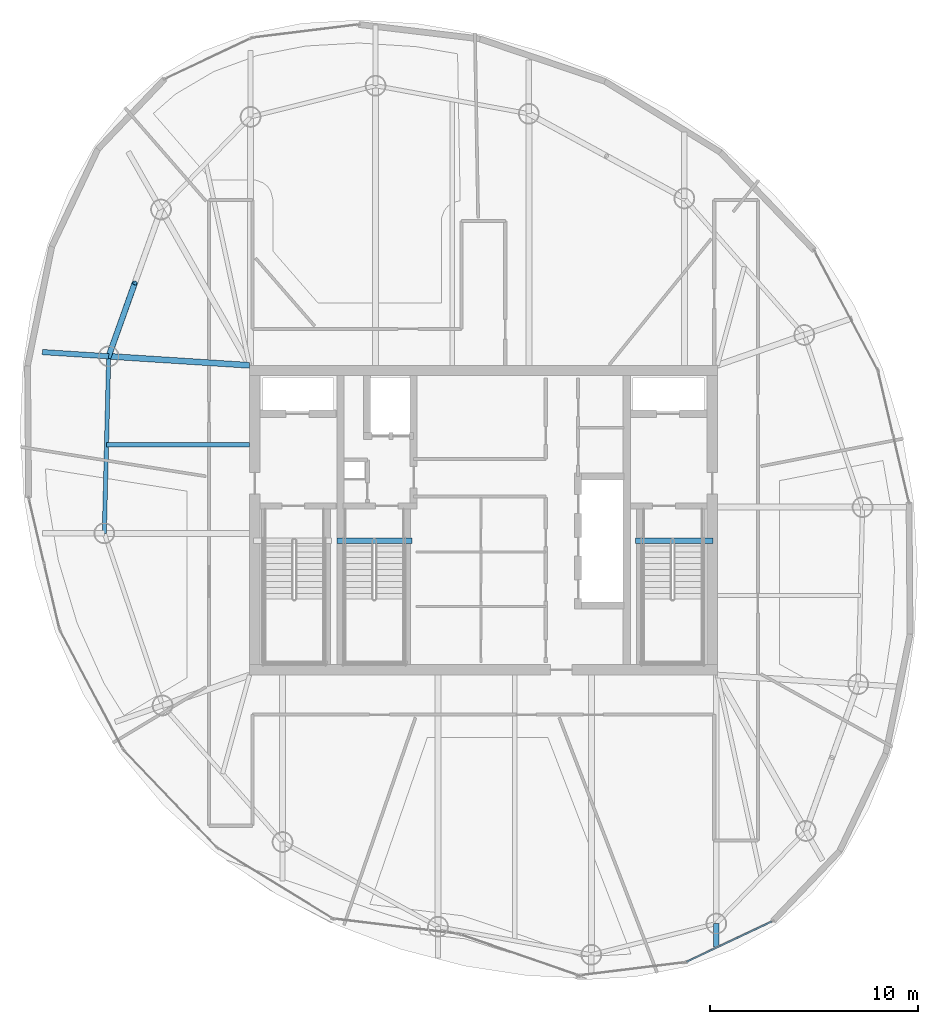
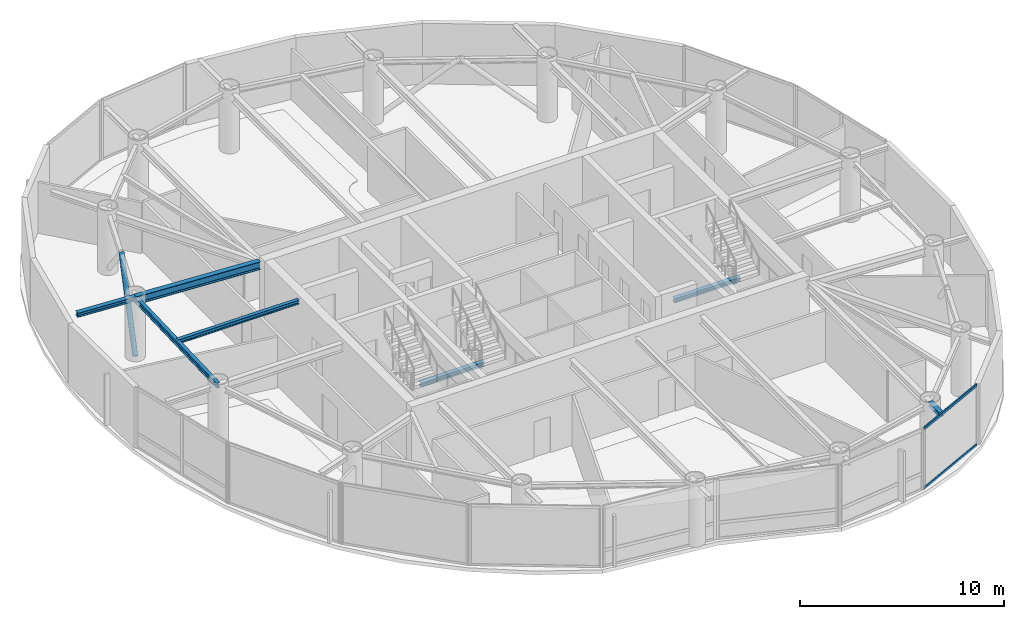
# One storey, part 7 of 21: 7 beams, 3 members, 1 element without a shape of its own.
"""IFC4 building model written with IfcOpenShell, lengths in metres."""

from ifc_helpers import new_model, si_unit, direction, frame, origin, origin_2d, place, context, subcontext, project, spatial, hollow_rectangle, hollow_circle, i_section, extrude, material, layer, layer_set, material_profile, profile_set, type_object, element, aggregate, save


model = new_model("IFC4")

# Units and contexts
model_context = context("Model", 3, precision=1e-05, world=origin(), true_north=direction((0.0, 1.0)))
body_context = subcontext(model_context, "Body", "Model", "MODEL_VIEW")
ifc_project = project(units=[si_unit("LENGTHUNIT", "METRE"), si_unit("AREAUNIT", "SQUARE_METRE"), si_unit("VOLUMEUNIT", "CUBIC_METRE"), si_unit("PLANEANGLEUNIT", "RADIAN"), si_unit("MASSUNIT", "GRAM", prefix="KILO")], contexts=[model_context])

# Site, building, storey
site_placement = place(None, origin())
site = spatial("IfcSite", under=ifc_project, at=site_placement, CompositionType="ELEMENT")
building_placement = place(site_placement, origin())
building = spatial("IfcBuilding", under=site, at=building_placement, Name="Bramvorn Convention Spire", CompositionType="ELEMENT")
storey_placement = place(building_placement, frame((0.0, 0.0, 249.75)))
storey = spatial("IfcBuildingStorey", under=building, at=storey_placement, Name="L63", CompositionType="ELEMENT", Elevation=249.75)

# Beams
ifc_material_1 = material(Name="Steel CSA G40.21 Grade 350 (350W)", Category="steel")
ifc_material_profile_1 = material_profile(ifc_material_1, i_section(OverallWidth=0.201904296875, OverallDepth=0.2470703125, WebThickness=0.00732421875, FlangeThickness=0.010986328125, FilletRadius=0.011962890625, at=origin_2d()))
ifc_profile_set_1 = profile_set([ifc_material_profile_1], Name="Steel CSA G40.21 Grade 350 (350W) - W250X49")
beam_type_1 = type_object("IfcBeamType", Name="BM-W250X49", PredefinedType="JOIST", material=ifc_profile_set_1)
beam_1_placement = place(storey_placement, frame((26.75, 29.626953125, 3.50146484375), z_axis=(-1.0, 0.0, 0.0), x_axis=(0.0, -1.0, 0.0)))
element("IfcBeam", 1, at=beam_1_placement, inside=storey, type_object=beam_type_1, Name="L63 composite floor joist 11", PredefinedType="JOIST", context=body_context, shape_type="SweptSolid", body=[
    extrude(i_section(OverallWidth=0.201904296875, OverallDepth=0.2470703125, WebThickness=0.00732421875, FlangeThickness=0.010986328125, FilletRadius=0.011962890625, at=origin_2d()), origin(), (0.0, 0.0, 1.0), 6.879150390625),
])
ifc_material_profile_2 = material_profile(ifc_material_1, i_section(OverallWidth=0.25390625, OverallDepth=0.2529296875, WebThickness=0.008544921875, FlangeThickness=0.01416015625, FilletRadius=0.011962890625, at=origin_2d()))
ifc_profile_set_2 = profile_set([ifc_material_profile_2], Name="Steel CSA G40.21 Grade 350 (350W) - W250X73")
beam_type_2 = type_object("IfcBeamType", Name="BM-W250X73", PredefinedType="BEAM", material=ifc_profile_set_2)
beam_2_placement = place(storey_placement, frame((49.199951171875, 6.60107421875, 3.49853515625), z_axis=(0.0, -1.0, 0.0), x_axis=(1.0, 0.0, 0.0)))
element("IfcBeam", 2, at=beam_2_placement, inside=storey, type_object=beam_type_2, Name="L63 slab-edge cantilever tip beam MC01", PredefinedType="BEAM", context=body_context, shape_type="SweptSolid", body=[
    extrude(i_section(OverallWidth=0.25390625, OverallDepth=0.2529296875, WebThickness=0.008544921875, FlangeThickness=0.01416015625, FilletRadius=0.011962890625, at=origin_2d()), origin(), (0.0, 0.0, 1.0), 1.122314453125),
])
beam_3_placement = place(storey_placement, frame((19.976318359375, 33.883544921875, 3.49853515625), z_axis=(-0.997959164695, 0.063855349044, 0.0), x_axis=(-0.063855349044, -0.997959164695, 0.0)))
element("IfcBeam", 3, at=beam_3_placement, inside=storey, type_object=beam_type_2, Name="L63 slab-edge cantilever tip beam MC11", PredefinedType="BEAM", context=body_context, shape_type="SweptSolid", body=[
    extrude(i_section(OverallWidth=0.25390625, OverallDepth=0.2529296875, WebThickness=0.008544921875, FlangeThickness=0.01416015625, FilletRadius=0.011962890625, at=origin_2d()), origin(), (0.0, 0.0, 1.0), 3.2001953125),
])
beam_4_placement = place(storey_placement, frame((45.31005859375, 25.010009765625, -0.12646484375), z_axis=(1.0, 0.0, 0.0), x_axis=(0.0, 1.0, 0.0)))
element("IfcBeam", 4, at=beam_4_placement, inside=storey, type_object=beam_type_2, Name="L63 ST2 stair arrival header beam", PredefinedType="BEAM", context=body_context, shape_type="SweptSolid", body=[
    extrude(i_section(OverallWidth=0.25390625, OverallDepth=0.2529296875, WebThickness=0.008544921875, FlangeThickness=0.01416015625, FilletRadius=0.011962890625, at=origin_2d()), origin(), (0.0, 0.0, 1.0), 3.739990234375),
])
beam_5_placement = place(storey_placement, frame((30.949951171875, 25.010009765625, -0.12646484375), z_axis=(1.0, 0.0, 0.0), x_axis=(0.0, 1.0, 0.0)))
element("IfcBeam", 5, at=beam_5_placement, inside=storey, type_object=beam_type_2, Name="L63 ST3 stair arrival header beam", PredefinedType="BEAM", context=body_context, shape_type="SweptSolid", body=[
    extrude(i_section(OverallWidth=0.25390625, OverallDepth=0.2529296875, WebThickness=0.008544921875, FlangeThickness=0.01416015625, FilletRadius=0.011962890625, at=origin_2d()), origin(), (0.0, 0.0, 1.0), 3.610107421875),
])
ifc_material_profile_3 = material_profile(ifc_material_1, i_section(OverallWidth=0.202880859375, OverallDepth=0.302978515625, WebThickness=0.007568359375, FlangeThickness=0.01318359375, FilletRadius=0.013916015625, at=origin_2d()))
ifc_profile_set_3 = profile_set([ifc_material_profile_3], Name="Steel CSA G40.21 Grade 350 (350W) - W310X60")
beam_type_3 = type_object("IfcBeamType", Name="BM-W310X60", PredefinedType="JOIST", material=ifc_profile_set_3)
beam_6_placement = place(storey_placement, frame((19.976318359375, 33.883544921875, 3.473388671875), z_axis=(-0.024770853371, -0.999693155335, 0.0), x_axis=(0.999693155335, -0.024770853371, 0.0)))
element("IfcBeam", 6, at=beam_6_placement, inside=storey, type_object=beam_type_3, Name="L63 mega-column ring beam 11", PredefinedType="JOIST", context=body_context, shape_type="SweptSolid", body=[
    extrude(i_section(OverallWidth=0.202880859375, OverallDepth=0.302978515625, WebThickness=0.007568359375, FlangeThickness=0.01318359375, FilletRadius=0.013916015625, at=origin_2d()), origin(), (0.0, 0.0, 1.0), 8.515625),
])
ifc_material_profile_4 = material_profile(ifc_material_1, i_section(OverallWidth=0.283935546875, OverallDepth=0.47607421875, WebThickness=0.014892578125, FlangeThickness=0.02392578125, FilletRadius=0.01806640625, at=origin_2d()))
ifc_profile_set_4 = profile_set([ifc_material_profile_4], Name="Steel CSA G40.21 Grade 350 (350W) - W460X158")
beam_type_4 = type_object("IfcBeamType", Name="BM-W460X158", PredefinedType="SPANDREL", material=ifc_profile_set_4)
beam_7_placement = place(storey_placement, frame((26.75, 33.449951171875, 3.386962890625), z_axis=(-0.997957536354, 0.063880792379, 0.0), x_axis=(-0.063880792379, -0.997957536354, 0.0)))
element("IfcBeam", 7, at=beam_7_placement, inside=storey, type_object=beam_type_4, Name="L63 radial floor girder MC11", PredefinedType="SPANDREL", context=body_context, shape_type="SweptSolid", body=[
    extrude(i_section(OverallWidth=0.283935546875, OverallDepth=0.47607421875, WebThickness=0.014892578125, FlangeThickness=0.02392578125, FilletRadius=0.01806640625, at=origin_2d()), origin(), (0.0, 0.0, 1.0), 6.78759765625),
])

# Curtain wall, members
ifc_material_2 = material(Name="Anodised Bronze Unitised Curtain Wall", Category="aluminium")
ifc_layer = layer(ifc_material_2, 0.179931640625)
ifc_layer_set = layer_set([ifc_layer], Name="Anodised Bronze Unitised Curtain Wall - CW-OFF-FRIT")
curtain_wall_type = type_object("IfcCurtainWallType", Name="CW-OFF-FRIT", PredefinedType="USERDEFINED", material=ifc_layer_set)
curtain_wall_placement = place(storey_placement, origin())
curtain_wall = element("IfcCurtainWall", 8, at=curtain_wall_placement, inside=storey, type_object=curtain_wall_type, Name="L63 fritted glass curtain wall 24", ObjectType="UNITISED CURTAIN WALL", PredefinedType="USERDEFINED")
ifc_material_3 = material(Name="Anodised Bronze Aluminium 6063-T6", Category="aluminium")
ifc_material_profile_5 = material_profile(ifc_material_3, hollow_rectangle(XDim=0.080078125, YDim=0.159912109375, WallThickness=0.00390625, InnerFilletRadius=0.0009765625, OuterFilletRadius=0.00390625, at=origin_2d()))
ifc_profile_set_5 = profile_set([ifc_material_profile_5], Name="Anodised Bronze Aluminium 6063-T6 - CWT80X160")
member_type_1 = type_object("IfcMemberType", Name="CW-TRN-150", PredefinedType="USERDEFINED", material=ifc_profile_set_5)
member_1_placement = place(storey_placement, frame((51.872802734375, 6.699462890625, 0.030029296875), z_axis=(-0.904050308942, -0.427426062498, 0.0), x_axis=(0.427426062498, -0.904050308942, 0.0)))
member_1 = element("IfcMember", 9, at=member_1_placement, type_object=member_type_1, Name="CW3 transom 1.1", ObjectType="TRANSOM", PredefinedType="USERDEFINED", context=body_context, shape_type="SweptSolid", body=[
    extrude(hollow_rectangle(XDim=0.080078125, YDim=0.159912109375, WallThickness=0.00390625, InnerFilletRadius=0.0009765625, OuterFilletRadius=0.00390625, at=origin_2d()), origin(), (0.0, 0.0, 1.0), 4.53076171875),
])
member_2_placement = place(storey_placement, frame((51.872802734375, 6.699462890625, 3.594970703125), z_axis=(-0.904050308942, -0.427426062498, 0.0), x_axis=(0.427426062498, -0.904050308942, 0.0)))
member_2 = element("IfcMember", 10, at=member_2_placement, type_object=member_type_1, Name="CW3 transom 1.2", ObjectType="TRANSOM", PredefinedType="USERDEFINED", context=body_context, shape_type="SweptSolid", body=[
    extrude(hollow_rectangle(XDim=0.080078125, YDim=0.159912109375, WallThickness=0.00390625, InnerFilletRadius=0.0009765625, OuterFilletRadius=0.00390625, at=origin_2d()), origin(), (0.0, 0.0, 1.0), 4.53076171875),
])
aggregate(curtain_wall, [member_1, member_2])

# Member
ifc_material_profile_6 = material_profile(ifc_material_1, hollow_circle(Radius=0.136474609375, WallThickness=0.0126953125, at=origin_2d()))
ifc_profile_set_6 = profile_set([ifc_material_profile_6], Name="Steel CSA G40.21 Grade 350 (350W) - CHS273X13")
member_type_2 = type_object("IfcMemberType", Name="MBR-CHS273X13", PredefinedType="BRACE", material=ifc_profile_set_6)
member_3_placement = place(storey_placement, frame((19.976318359375, 33.883544921875, 0.0), z_axis=(0.241378577718, 0.677030621771, 0.695245222495), x_axis=(-0.941926002824, 0.335820495509, 0.0)))
element("IfcMember", 11, at=member_3_placement, inside=storey, type_object=member_type_2, Name="L63 perimeter Gothic lancet brace 10B", PredefinedType="BRACE", context=body_context, shape_type="SweptSolid", body=[
    extrude(hollow_circle(Radius=0.136474609375, WallThickness=0.0126953125, at=origin_2d()), origin(), (0.0, 0.0, 1.0), 5.2138671875),
])

save(model, "model.ifc")
